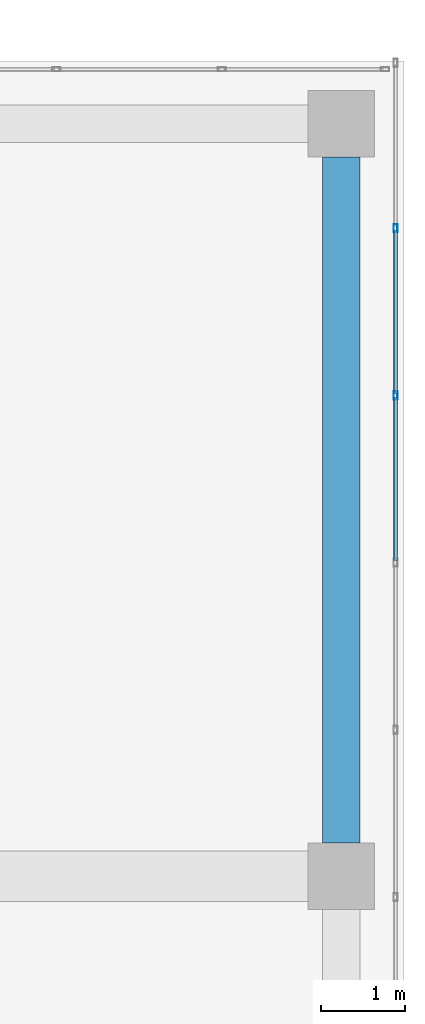
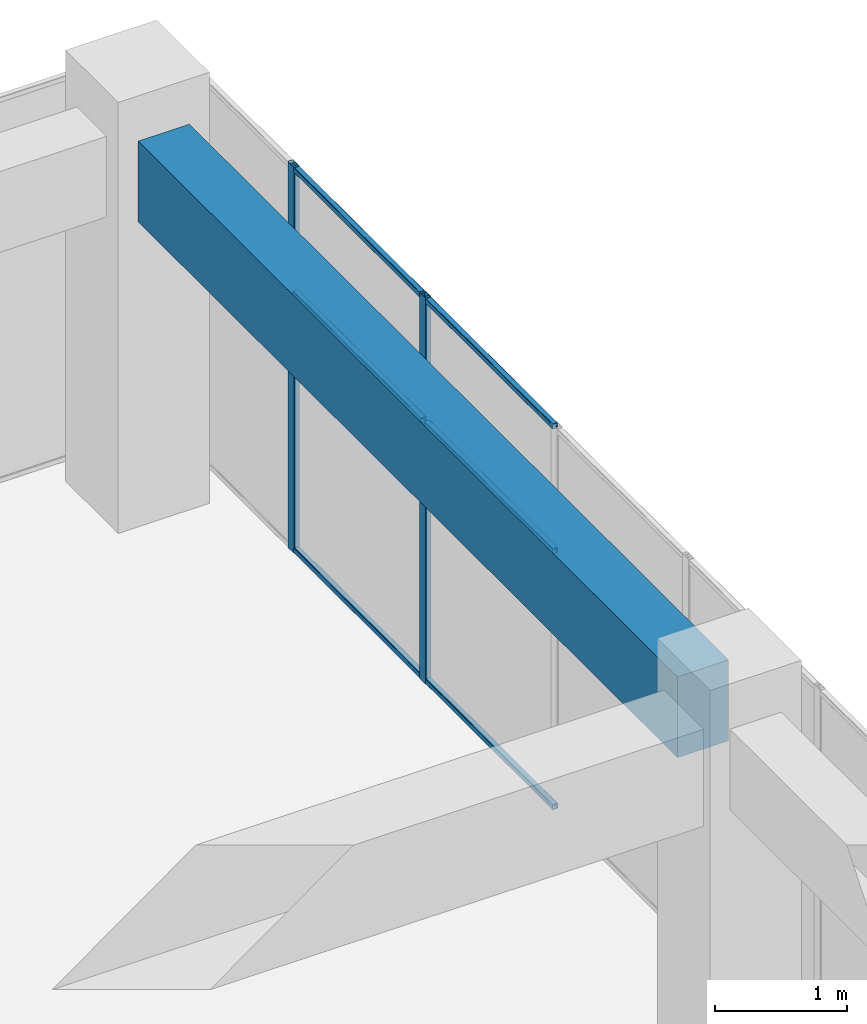
# One storey, part 52 of 72: 8 members, 1 beam, 1 element without a shape of its own.
"""IFC4 building model written with IfcOpenShell, lengths in metres."""

from ifc_helpers import new_model, si_unit, direction, frame, origin, origin_2d, place, context, subcontext, project, spatial, rectangle, hollow_rectangle, extrude, material, layer, layer_set, material_profile, profile_set, type_object, element, aggregate, save


model = new_model("IFC4")

# Units and contexts
model_context = context("Model", 3, precision=1e-05, world=origin(), true_north=direction((0.0, 1.0)))
body_context = subcontext(model_context, "Body", "Model", "MODEL_VIEW")
ifc_project = project(units=[si_unit("LENGTHUNIT", "METRE"), si_unit("AREAUNIT", "SQUARE_METRE"), si_unit("VOLUMEUNIT", "CUBIC_METRE"), si_unit("PLANEANGLEUNIT", "RADIAN"), si_unit("MASSUNIT", "GRAM", prefix="KILO")], contexts=[model_context])

# Site, building, storey
site_placement = place(None, origin())
site = spatial("IfcSite", under=ifc_project, at=site_placement, CompositionType="ELEMENT")
building_placement = place(site_placement, origin())
building = spatial("IfcBuilding", under=site, at=building_placement, Name="Tuart Plaza Theatre", CompositionType="ELEMENT")
storey_placement = place(building_placement, frame((0.0, 0.0, 13.5)))
storey = spatial("IfcBuildingStorey", under=building, at=storey_placement, Name="L03", CompositionType="ELEMENT", Elevation=13.5)

# Beam
ifc_material_1 = material(Name="Concrete N40 (40 MPa)", Category="concrete")
ifc_material_profile_1 = material_profile(ifc_material_1, rectangle(XDim=0.449951171875, YDim=0.75, at=origin_2d()), Name="BEAM 450x750 Concrete N40 (40 MPa)")
ifc_profile_set_1 = profile_set([ifc_material_profile_1], Name="Concrete N40 (40 MPa)")
beam_type = type_object("IfcBeamType", Name="BEAM 450x750 Concrete N40 (40 MPa)", PredefinedType="BEAM", material=ifc_profile_set_1)
beam_placement = place(storey_placement, frame((150.0, 83.39990234375, 3.205078125), z_axis=(0.0, 1.0, 0.0), x_axis=(-1.0, 0.0, 0.0)))
element("IfcBeam", 1, at=beam_placement, inside=storey, type_object=beam_type, Name="RB201", PredefinedType="BEAM", context=body_context, shape_type="SweptSolid", body=[
    extrude(rectangle(XDim=0.449951171875, YDim=0.75, at=origin_2d()), origin(), (0.0, 0.0, 1.0), 8.2001953125),
])

# Curtain wall, members
ifc_material_2 = material(Name="Aluminium and glass", Category="aluminium")
ifc_layer = layer(ifc_material_2, 0.10009765625)
ifc_layer_set = layer_set([ifc_layer], Name="CURTAIN WALL 2000 module")
curtain_wall_type = type_object("IfcCurtainWallType", Name="CURTAIN WALL 2000 module", PredefinedType="NOTDEFINED", material=ifc_layer_set)
curtain_wall_placement = place(storey_placement, origin())
curtain_wall = element("IfcCurtainWall", 2, at=curtain_wall_placement, inside=storey, type_object=curtain_wall_type, Name="CW69", PredefinedType="NOTDEFINED")
ifc_material_3 = material(Name="Aluminium 6063-T5", Category="aluminium")
ifc_material_profile_2 = material_profile(ifc_material_3, hollow_rectangle(XDim=0.050048828125, YDim=0.10009765625, WallThickness=0.00390625, InnerFilletRadius=0.00390625, OuterFilletRadius=0.008056640625, at=origin_2d()), Name="RHS 100x50x4")
ifc_profile_set_2 = profile_set([ifc_material_profile_2], Name="Aluminium 6063-T5")
member_type_1 = type_object("IfcMemberType", Name="MULLION RHS 100x50x4", PredefinedType="MULLION", material=ifc_profile_set_2)
member_1_placement = place(storey_placement, frame((150.64990234375, 88.75, 0.0), z_axis=(0.0, 0.0, 1.0), x_axis=(-1.0, 0.0, 0.0)))
member_1 = element("IfcMember", 3, at=member_1_placement, type_object=member_type_1, Name="CW69 mullion 20", PredefinedType="MULLION", context=body_context, shape_type="SweptSolid", body=[
    extrude(hollow_rectangle(XDim=0.050048828125, YDim=0.10009765625, WallThickness=0.00390625, InnerFilletRadius=0.00390625, OuterFilletRadius=0.008056640625, at=origin_2d()), origin(), (0.0, 0.0, 1.0), 3.580078125),
])
member_2_placement = place(storey_placement, frame((150.64990234375, 90.75, 0.0), z_axis=(0.0, 0.0, 1.0), x_axis=(-1.0, 0.0, 0.0)))
member_2 = element("IfcMember", 4, at=member_2_placement, type_object=member_type_1, Name="CW69 mullion 21", PredefinedType="MULLION", context=body_context, shape_type="SweptSolid", body=[
    extrude(hollow_rectangle(XDim=0.050048828125, YDim=0.10009765625, WallThickness=0.00390625, InnerFilletRadius=0.00390625, OuterFilletRadius=0.008056640625, at=origin_2d()), origin(), (0.0, 0.0, 1.0), 3.580078125),
])
ifc_material_4 = material(Name="Aluminium 6063-T5", Category="aluminium")
ifc_material_profile_3 = material_profile(ifc_material_4, hollow_rectangle(XDim=0.050048828125, YDim=0.050048828125, WallThickness=0.00390625, InnerFilletRadius=0.00390625, OuterFilletRadius=0.008056640625, at=origin_2d()), Name="RHS 50x50x4")
ifc_profile_set_3 = profile_set([ifc_material_profile_3], Name="Aluminium 6063-T5")
member_type_2 = type_object("IfcMemberType", Name="TRANSOM RHS 50x50x4", PredefinedType="USERDEFINED", material=ifc_profile_set_3)
member_3_placement = place(storey_placement, frame((150.64990234375, 86.77490234375, 0.02490234375), z_axis=(0.0, 1.0, 0.0), x_axis=(-1.0, 0.0, 0.0)))
member_3 = element("IfcMember", 5, at=member_3_placement, type_object=member_type_2, Name="CW69 transom 19.1", ObjectType="TRANSOM", PredefinedType="USERDEFINED", context=body_context, shape_type="SweptSolid", body=[
    extrude(hollow_rectangle(XDim=0.050048828125, YDim=0.050048828125, WallThickness=0.00390625, InnerFilletRadius=0.00390625, OuterFilletRadius=0.008056640625, at=origin_2d()), origin(), (0.0, 0.0, 1.0), 1.9501953125),
])
member_4_placement = place(storey_placement, frame((150.64990234375, 86.77490234375, 2.39990234375), z_axis=(0.0, 1.0, 0.0), x_axis=(-1.0, 0.0, 0.0)))
member_4 = element("IfcMember", 6, at=member_4_placement, type_object=member_type_2, Name="CW69 transom 19.2", ObjectType="TRANSOM", PredefinedType="USERDEFINED", context=body_context, shape_type="SweptSolid", body=[
    extrude(hollow_rectangle(XDim=0.050048828125, YDim=0.050048828125, WallThickness=0.00390625, InnerFilletRadius=0.00390625, OuterFilletRadius=0.008056640625, at=origin_2d()), origin(), (0.0, 0.0, 1.0), 1.9501953125),
])
member_5_placement = place(storey_placement, frame((150.64990234375, 86.77490234375, 3.554931640625), z_axis=(0.0, 1.0, 0.0), x_axis=(-1.0, 0.0, 0.0)))
member_5 = element("IfcMember", 7, at=member_5_placement, type_object=member_type_2, Name="CW69 transom 19.3", ObjectType="TRANSOM", PredefinedType="USERDEFINED", context=body_context, shape_type="SweptSolid", body=[
    extrude(hollow_rectangle(XDim=0.050048828125, YDim=0.050048828125, WallThickness=0.00390625, InnerFilletRadius=0.00390625, OuterFilletRadius=0.008056640625, at=origin_2d()), origin(), (0.0, 0.0, 1.0), 1.9501953125),
])
member_6_placement = place(storey_placement, frame((150.64990234375, 88.77490234375, 0.02490234375), z_axis=(0.0, 1.0, 0.0), x_axis=(-1.0, 0.0, 0.0)))
member_6 = element("IfcMember", 8, at=member_6_placement, type_object=member_type_2, Name="CW69 transom 20.1", ObjectType="TRANSOM", PredefinedType="USERDEFINED", context=body_context, shape_type="SweptSolid", body=[
    extrude(hollow_rectangle(XDim=0.050048828125, YDim=0.050048828125, WallThickness=0.00390625, InnerFilletRadius=0.00390625, OuterFilletRadius=0.008056640625, at=origin_2d()), origin(), (0.0, 0.0, 1.0), 1.9501953125),
])
member_7_placement = place(storey_placement, frame((150.64990234375, 88.77490234375, 2.39990234375), z_axis=(0.0, 1.0, 0.0), x_axis=(-1.0, 0.0, 0.0)))
member_7 = element("IfcMember", 9, at=member_7_placement, type_object=member_type_2, Name="CW69 transom 20.2", ObjectType="TRANSOM", PredefinedType="USERDEFINED", context=body_context, shape_type="SweptSolid", body=[
    extrude(hollow_rectangle(XDim=0.050048828125, YDim=0.050048828125, WallThickness=0.00390625, InnerFilletRadius=0.00390625, OuterFilletRadius=0.008056640625, at=origin_2d()), origin(), (0.0, 0.0, 1.0), 1.9501953125),
])
member_8_placement = place(storey_placement, frame((150.64990234375, 88.77490234375, 3.554931640625), z_axis=(0.0, 1.0, 0.0), x_axis=(-1.0, 0.0, 0.0)))
member_8 = element("IfcMember", 10, at=member_8_placement, type_object=member_type_2, Name="CW69 transom 20.3", ObjectType="TRANSOM", PredefinedType="USERDEFINED", context=body_context, shape_type="SweptSolid", body=[
    extrude(hollow_rectangle(XDim=0.050048828125, YDim=0.050048828125, WallThickness=0.00390625, InnerFilletRadius=0.00390625, OuterFilletRadius=0.008056640625, at=origin_2d()), origin(), (0.0, 0.0, 1.0), 1.9501953125),
])
aggregate(curtain_wall, [member_1, member_2, member_3, member_4, member_5, member_6, member_7, member_8])

save(model, "model.ifc")
